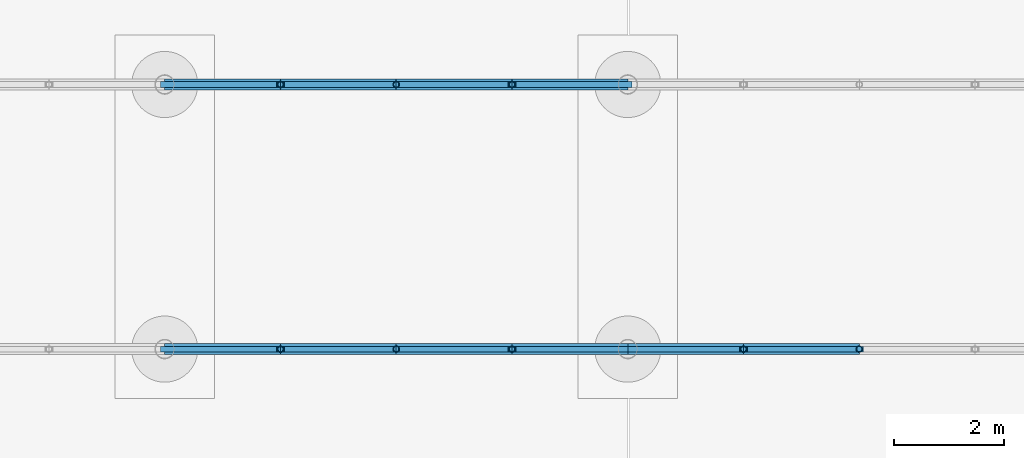
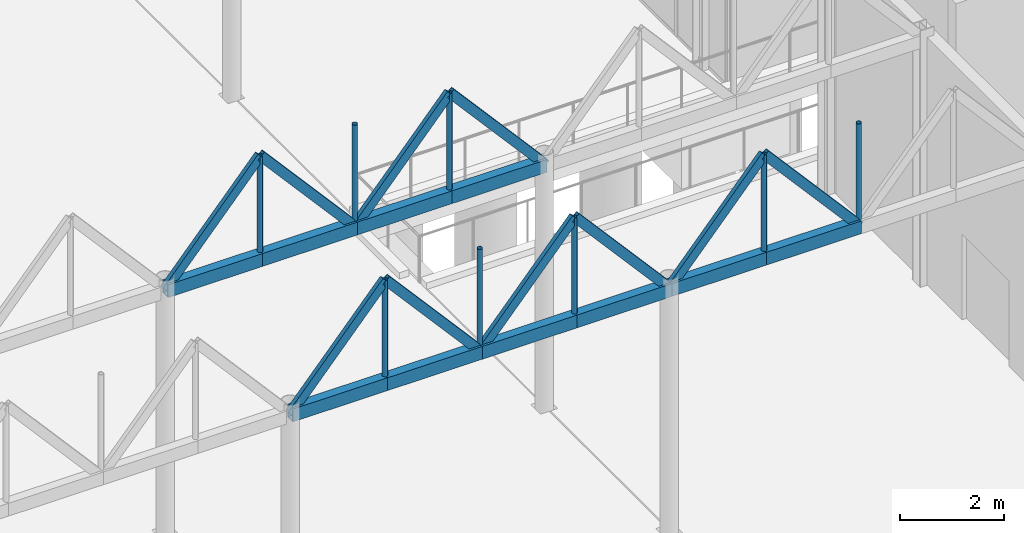
# One storey, part 115 of 212: 28 members.
"""IFC4 building model written with IfcOpenShell, lengths in metres."""

from ifc_helpers import new_model, si_unit, direction, frame, origin, origin_2d, place, context, subcontext, project, spatial, hollow_rectangle, hollow_circle, extrude, material, material_profile, profile_set, type_object, element, save


model = new_model("IFC4")

# Units and contexts
model_context = context("Model", 3, precision=1e-05, world=origin(), true_north=direction((0.0, 1.0)))
body_context = subcontext(model_context, "Body", "Model", "MODEL_VIEW")
ifc_project = project(units=[si_unit("LENGTHUNIT", "METRE"), si_unit("AREAUNIT", "SQUARE_METRE"), si_unit("VOLUMEUNIT", "CUBIC_METRE"), si_unit("PLANEANGLEUNIT", "RADIAN"), si_unit("MASSUNIT", "GRAM", prefix="KILO")], contexts=[model_context])

# Site, building, storey
site_placement = place(None, origin())
site = spatial("IfcSite", under=ifc_project, at=site_placement, CompositionType="ELEMENT")
building_placement = place(site_placement, origin())
building = spatial("IfcBuilding", under=site, at=building_placement, Name="Catenary Quay Ferry Terminal", CompositionType="ELEMENT")
storey_placement = place(building_placement, origin())
storey = spatial("IfcBuildingStorey", under=building, at=storey_placement, Name="L00", CompositionType="ELEMENT", Elevation=0.0)

# Members
ifc_material_1 = material(Name="Steel S355", Category="steel")
ifc_material_profile_1 = material_profile(ifc_material_1, hollow_rectangle(XDim=0.10009765625, YDim=0.199951171875, WallThickness=0.008056640625, at=origin_2d()), Name="RHS 200x100x8")
ifc_profile_set_1 = profile_set([ifc_material_profile_1], Name="Steel S355")
member_type_1 = type_object("IfcMemberType", Name="BR3 RHS 200x100x8", PredefinedType="BRACE", material=ifc_profile_set_1)
member_1_placement = place(storey_placement, frame((109.199951171875, 73.199951171875, 5.699951171875), z_axis=(0.65849918825, 0.0, 0.752581436839), x_axis=(0.0, 1.0, 0.0)))
element("IfcMember", 1, at=member_1_placement, inside=storey, type_object=member_type_1, Name="Bridge diagonal BB1S-D09", PredefinedType="BRACE", context=body_context, shape_type="SweptSolid", body=[
    extrude(hollow_rectangle(XDim=0.10009765625, YDim=0.199951171875, WallThickness=0.008056640625, at=origin_2d()), origin(), (0.0, 0.0, 1.0), 3.189208984375),
])
member_2_placement = place(storey_placement, frame((111.300048828125, 73.199951171875, 8.10009765625), z_axis=(0.658455827614, 0.0, -0.752619374639), x_axis=(0.0, 1.0, 0.0)))
element("IfcMember", 2, at=member_2_placement, inside=storey, type_object=member_type_1, Name="Bridge diagonal BB1S-D10", PredefinedType="BRACE", context=body_context, shape_type="SweptSolid", body=[
    extrude(hollow_rectangle(XDim=0.10009765625, YDim=0.199951171875, WallThickness=0.008056640625, at=origin_2d()), origin(), (0.0, 0.0, 1.0), 3.18896484375),
])
for number, where, z_axis, x_axis, name in (
    (3, (113.39990234375, 73.199951171875, 5.699951171875), (0.65849918825, 0.0, 0.752581436839), (0.0, 1.0, 0.0), "Bridge diagonal BB1S-D11"),
    (4, (115.5, 73.199951171875, 8.10009765625), (0.65849918825, 0.0, -0.752581436839), (0.0, 1.0, 0.0), "Bridge diagonal BB1S-D12"),
):
    element("IfcMember", number, at=place(storey_placement, frame(where, z_axis=z_axis, x_axis=x_axis)), inside=storey, type_object=member_type_1, Name=name, PredefinedType="BRACE", context=body_context, shape_type="SweptSolid", body=[
        extrude(hollow_rectangle(XDim=0.10009765625, YDim=0.199951171875, WallThickness=0.008056640625, at=origin_2d()), origin(), (0.0, 0.0, 1.0), 3.189208984375),
    ])
member_3_placement = place(storey_placement, frame((117.60009765625, 73.199951171875, 5.699951171875), z_axis=(0.658455827614, 0.0, 0.752619374639), x_axis=(0.0, 1.0, 0.0)))
element("IfcMember", 5, at=member_3_placement, inside=storey, type_object=member_type_1, Name="Bridge diagonal BB1S-D13", PredefinedType="BRACE", context=body_context, shape_type="SweptSolid", body=[
    extrude(hollow_rectangle(XDim=0.10009765625, YDim=0.199951171875, WallThickness=0.008056640625, at=origin_2d()), origin(), (0.0, 0.0, 1.0), 3.18896484375),
])
for number, where, z_axis, x_axis, name in (
    (6, (119.699951171875, 73.199951171875, 8.10009765625), (0.65849918825, 0.0, -0.752581436839), (0.0, 1.0, 0.0), "Bridge diagonal BB1S-D14"),
    (7, (109.199951171875, 78.0, 5.699951171875), (0.65849918825, 0.0, 0.752581436839), (0.0, 1.0, 0.0), "Bridge diagonal BB1N-D09"),
):
    element("IfcMember", number, at=place(storey_placement, frame(where, z_axis=z_axis, x_axis=x_axis)), inside=storey, type_object=member_type_1, Name=name, PredefinedType="BRACE", context=body_context, shape_type="SweptSolid", body=[
        extrude(hollow_rectangle(XDim=0.10009765625, YDim=0.199951171875, WallThickness=0.008056640625, at=origin_2d()), origin(), (0.0, 0.0, 1.0), 3.189208984375),
    ])
member_4_placement = place(storey_placement, frame((111.300048828125, 78.0, 8.10009765625), z_axis=(0.658455827614, 0.0, -0.752619374639), x_axis=(0.0, 1.0, 0.0)))
element("IfcMember", 8, at=member_4_placement, inside=storey, type_object=member_type_1, Name="Bridge diagonal BB1N-D10", PredefinedType="BRACE", context=body_context, shape_type="SweptSolid", body=[
    extrude(hollow_rectangle(XDim=0.10009765625, YDim=0.199951171875, WallThickness=0.008056640625, at=origin_2d()), origin(), (0.0, 0.0, 1.0), 3.18896484375),
])
for number, where, z_axis, x_axis, name in (
    (9, (113.39990234375, 78.0, 5.699951171875), (0.65849918825, 0.0, 0.752581436839), (0.0, 1.0, 0.0), "Bridge diagonal BB1N-D11"),
    (10, (115.5, 78.0, 8.10009765625), (0.65849918825, 0.0, -0.752581436839), (0.0, 1.0, 0.0), "Bridge diagonal BB1N-D12"),
):
    element("IfcMember", number, at=place(storey_placement, frame(where, z_axis=z_axis, x_axis=x_axis)), inside=storey, type_object=member_type_1, Name=name, PredefinedType="BRACE", context=body_context, shape_type="SweptSolid", body=[
        extrude(hollow_rectangle(XDim=0.10009765625, YDim=0.199951171875, WallThickness=0.008056640625, at=origin_2d()), origin(), (0.0, 0.0, 1.0), 3.189208984375),
    ])
ifc_material_2 = material(Name="Steel S355", Category="steel")
ifc_material_profile_2 = material_profile(ifc_material_2, hollow_circle(Radius=0.05712890625, WallThickness=0.00634765625, at=origin_2d()), Name="CHS 114.3x6.3")
ifc_profile_set_2 = profile_set([ifc_material_profile_2], Name="Steel S355")
member_type_2 = type_object("IfcMemberType", Name="HG1 CHS 114.3x6.3", PredefinedType="POST", material=ifc_profile_set_2)
for number, where, z_axis, x_axis, name in (
    (11, (111.300048828125, 73.199951171875, 5.699951171875), (0.0, 0.0, 1.0), (1.0, 0.0, 0.0), "Bridge post BB1S-P10"),
    (12, (113.39990234375, 73.199951171875, 5.699951171875), (0.0, 0.0, 1.0), (1.0, 0.0, 0.0), "Bridge post BB1S-P11"),
    (13, (115.5, 73.199951171875, 5.699951171875), (0.0, 0.0, 1.0), (1.0, 0.0, 0.0), "Bridge post BB1S-P12"),
    (14, (119.699951171875, 73.199951171875, 5.699951171875), (0.0, 0.0, 1.0), (1.0, 0.0, 0.0), "Bridge post BB1S-P14"),
    (15, (121.800048828125, 73.199951171875, 5.699951171875), (0.0, 0.0, 1.0), (1.0, 0.0, 0.0), "Bridge post BB1S-P15"),
    (16, (111.300048828125, 78.0, 5.699951171875), (0.0, 0.0, 1.0), (1.0, 0.0, 0.0), "Bridge post BB1N-P10"),
    (17, (113.39990234375, 78.0, 5.699951171875), (0.0, 0.0, 1.0), (1.0, 0.0, 0.0), "Bridge post BB1N-P11"),
    (18, (115.5, 78.0, 5.699951171875), (0.0, 0.0, 1.0), (1.0, 0.0, 0.0), "Bridge post BB1N-P12"),
):
    element("IfcMember", number, at=place(storey_placement, frame(where, z_axis=z_axis, x_axis=x_axis)), inside=storey, type_object=member_type_2, Name=name, PredefinedType="POST", context=body_context, shape_type="SweptSolid", body=[
        extrude(hollow_circle(Radius=0.05712890625, WallThickness=0.00634765625, at=origin_2d()), origin(), (0.0, 0.0, 1.0), 2.400146484375),
    ])
ifc_material_3 = material(Name="Steel S355", Category="steel")
ifc_material_profile_3 = material_profile(ifc_material_3, hollow_rectangle(XDim=0.199951171875, YDim=0.300048828125, WallThickness=0.012451171875, at=origin_2d()), Name="RHS 300x200x12.5")
ifc_profile_set_3 = profile_set([ifc_material_profile_3], Name="Steel S355")
member_type_3 = type_object("IfcMemberType", Name="TC1 RHS 300x200x12.5", PredefinedType="CHORD", material=ifc_profile_set_3)
member_5_placement = place(storey_placement, frame((109.199951171875, 73.199951171875, 5.699951171875), z_axis=(1.0, 0.0, 0.0), x_axis=(0.0, 1.0, 0.0)))
element("IfcMember", 19, at=member_5_placement, inside=storey, type_object=member_type_3, Name="Bridge bottom chord BB1S-BC09", PredefinedType="CHORD", context=body_context, shape_type="SweptSolid", body=[
    extrude(hollow_rectangle(XDim=0.199951171875, YDim=0.300048828125, WallThickness=0.012451171875, at=origin_2d()), origin(), (0.0, 0.0, 1.0), 2.10009765625),
])
member_6_placement = place(storey_placement, frame((111.300048828125, 73.199951171875, 5.699951171875), z_axis=(1.0, 0.0, 0.0), x_axis=(0.0, 1.0, 0.0)))
element("IfcMember", 20, at=member_6_placement, inside=storey, type_object=member_type_3, Name="Bridge bottom chord BB1S-BC10", PredefinedType="CHORD", context=body_context, shape_type="SweptSolid", body=[
    extrude(hollow_rectangle(XDim=0.199951171875, YDim=0.300048828125, WallThickness=0.012451171875, at=origin_2d()), origin(), (0.0, 0.0, 1.0), 2.099853515625),
])
for number, where, z_axis, x_axis, name in (
    (21, (113.39990234375, 73.199951171875, 5.699951171875), (1.0, 0.0, 0.0), (0.0, 1.0, 0.0), "Bridge bottom chord BB1S-BC11"),
    (22, (115.5, 73.199951171875, 5.699951171875), (1.0, 0.0, 0.0), (0.0, 1.0, 0.0), "Bridge bottom chord BB1S-BC12"),
):
    element("IfcMember", number, at=place(storey_placement, frame(where, z_axis=z_axis, x_axis=x_axis)), inside=storey, type_object=member_type_3, Name=name, PredefinedType="CHORD", context=body_context, shape_type="SweptSolid", body=[
        extrude(hollow_rectangle(XDim=0.199951171875, YDim=0.300048828125, WallThickness=0.012451171875, at=origin_2d()), origin(), (0.0, 0.0, 1.0), 2.10009765625),
    ])
member_7_placement = place(storey_placement, frame((117.60009765625, 73.199951171875, 5.699951171875), z_axis=(1.0, 0.0, 0.0), x_axis=(0.0, 1.0, 0.0)))
element("IfcMember", 23, at=member_7_placement, inside=storey, type_object=member_type_3, Name="Bridge bottom chord BB1S-BC13", PredefinedType="CHORD", context=body_context, shape_type="SweptSolid", body=[
    extrude(hollow_rectangle(XDim=0.199951171875, YDim=0.300048828125, WallThickness=0.012451171875, at=origin_2d()), origin(), (0.0, 0.0, 1.0), 2.099853515625),
])
for number, where, z_axis, x_axis, name in (
    (24, (119.699951171875, 73.199951171875, 5.699951171875), (1.0, 0.0, 0.0), (0.0, 1.0, 0.0), "Bridge bottom chord BB1S-BC14"),
    (25, (109.199951171875, 78.0, 5.699951171875), (1.0, 0.0, 0.0), (0.0, 1.0, 0.0), "Bridge bottom chord BB1N-BC09"),
):
    element("IfcMember", number, at=place(storey_placement, frame(where, z_axis=z_axis, x_axis=x_axis)), inside=storey, type_object=member_type_3, Name=name, PredefinedType="CHORD", context=body_context, shape_type="SweptSolid", body=[
        extrude(hollow_rectangle(XDim=0.199951171875, YDim=0.300048828125, WallThickness=0.012451171875, at=origin_2d()), origin(), (0.0, 0.0, 1.0), 2.10009765625),
    ])
member_8_placement = place(storey_placement, frame((111.300048828125, 78.0, 5.699951171875), z_axis=(1.0, 0.0, 0.0), x_axis=(0.0, 1.0, 0.0)))
element("IfcMember", 26, at=member_8_placement, inside=storey, type_object=member_type_3, Name="Bridge bottom chord BB1N-BC10", PredefinedType="CHORD", context=body_context, shape_type="SweptSolid", body=[
    extrude(hollow_rectangle(XDim=0.199951171875, YDim=0.300048828125, WallThickness=0.012451171875, at=origin_2d()), origin(), (0.0, 0.0, 1.0), 2.099853515625),
])
for number, where, z_axis, x_axis, name in (
    (27, (113.39990234375, 78.0, 5.699951171875), (1.0, 0.0, 0.0), (0.0, 1.0, 0.0), "Bridge bottom chord BB1N-BC11"),
    (28, (115.5, 78.0, 5.699951171875), (1.0, 0.0, 0.0), (0.0, 1.0, 0.0), "Bridge bottom chord BB1N-BC12"),
):
    element("IfcMember", number, at=place(storey_placement, frame(where, z_axis=z_axis, x_axis=x_axis)), inside=storey, type_object=member_type_3, Name=name, PredefinedType="CHORD", context=body_context, shape_type="SweptSolid", body=[
        extrude(hollow_rectangle(XDim=0.199951171875, YDim=0.300048828125, WallThickness=0.012451171875, at=origin_2d()), origin(), (0.0, 0.0, 1.0), 2.10009765625),
    ])

save(model, "model.ifc")
